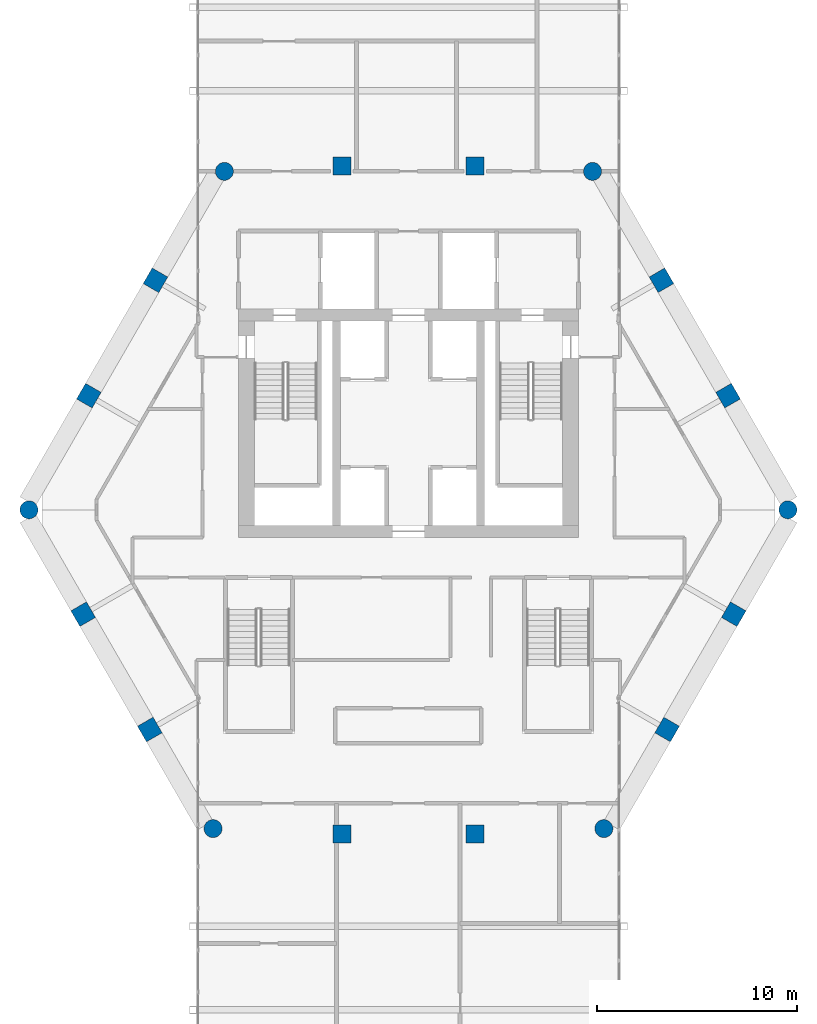
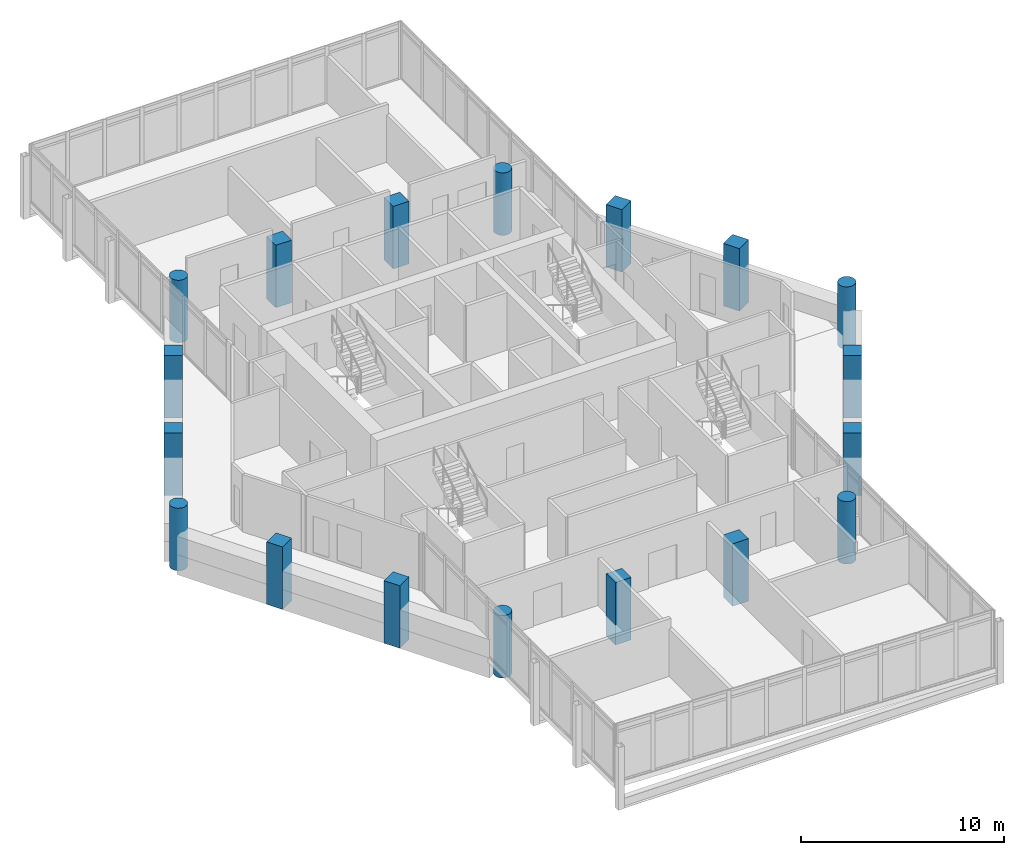
# One storey, part 1 of 25: 18 columns.
"""IFC4 building model written with IfcOpenShell, lengths in metres."""

import ifcopenshell
import ifcopenshell.guid

model = None  # the IFC model being written
_history = None  # IfcOwnerHistory: only IFC2X3 demands one
_inside = {}  # id of a spatial element -> (the spatial element, [elements in it])
_under = {}  # id of a project, library or spatial element -> (it, [spatial elements below it])
_declared = {}  # id of a project -> (the project, [libraries it declares])
_typed = {}  # id of a type object -> (the type object, [elements of that type])
_made_of = {}  # id of a material, layer set ... -> (it, [elements and type objects made of it])


def new_model(schema):
    """Start an empty IFC model of exactly this schema.

    Asked for "IFC4X3", IfcOpenShell would pick the latest addendum, in which some entities
    have other attributes; the version numbers below select the first issue.
    IFC2X3 requires an IfcOwnerHistory on every rooted entity: one is made here for all.
    """
    global model, _history
    if schema == "IFC4X3":
        model = ifcopenshell.file(schema_version=(4, 3, 0, 0))
    else:
        model = ifcopenshell.file(schema=schema)
    _inside.clear()
    _under.clear()
    _declared.clear()
    _typed.clear()
    _made_of.clear()
    _history = None
    if model.schema == "IFC2X3":
        org = make("IfcOrganization", Name="unknown")
        user = make(
            "IfcPersonAndOrganization",
            ThePerson=make("IfcPerson", FamilyName="unknown"),
            TheOrganization=org,
        )
        app = make(
            "IfcApplication",
            ApplicationDeveloper=org,
            Version="unknown",
            ApplicationFullName="unknown",
            ApplicationIdentifier="unknown",
        )
        _history = make(
            "IfcOwnerHistory",
            OwningUser=user,
            OwningApplication=app,
            ChangeAction="ADDED",
            CreationDate=0,
        )
    return model


def make(cls, **values):
    """One entity of the class cls with the attributes given. An attribute that is None is left unset."""
    return model.create_entity(
        cls, **{name: value for name, value in values.items() if value is not None}
    )


def rooted(cls, **values):
    """An entity with a GlobalId (a new one), such as an element, a storey or a relation."""
    return make(cls, GlobalId=ifcopenshell.guid.new(), OwnerHistory=_history, **values)


def si_unit(unit_type, name, prefix=None):
    """IfcSIUnit, for example si_unit("LENGTHUNIT", "METRE", prefix="MILLI")."""
    return make("IfcSIUnit", UnitType=unit_type, Prefix=prefix, Name=name)


def assignment(units):
    """IfcUnitAssignment: the units of a project."""
    return None if units is None else make("IfcUnitAssignment", Units=units)


def point(xyz):
    """IfcCartesianPoint."""
    return None if xyz is None else make("IfcCartesianPoint", Coordinates=xyz)


def direction(xyz):
    """IfcDirection."""
    return None if xyz is None else make("IfcDirection", DirectionRatios=xyz)


def frame(location, z_axis=None, x_axis=None):
    """IfcAxis2Placement3D, a coordinate frame: its origin and axes. An axis left out is left unset."""
    return make(
        "IfcAxis2Placement3D",
        Location=point(location),
        Axis=direction(z_axis),
        RefDirection=direction(x_axis),
    )


def frame_2d(location, x_axis=None):
    """IfcAxis2Placement2D, a coordinate frame in the plane: its origin and x axis."""
    return make(
        "IfcAxis2Placement2D", Location=point(location), RefDirection=direction(x_axis)
    )


def origin():
    """The frame at (0, 0, 0) with its axes left unset."""
    return frame((0.0, 0.0, 0.0))


def origin_2d():
    """The frame at (0, 0) in the plane with its x axis left unset."""
    return frame_2d((0.0, 0.0))


def place(relative_to, where):
    """IfcLocalPlacement: puts the frame where relative to a parent placement (None: the world)."""
    return make(
        "IfcLocalPlacement", PlacementRelTo=relative_to, RelativePlacement=where
    )


def context(
    kind, dimensions, precision=None, world=None, true_north=None, identifier=None
):
    """IfcGeometricRepresentationContext, for example the 3D "Model" context."""
    return make(
        "IfcGeometricRepresentationContext",
        ContextIdentifier=identifier,
        ContextType=kind,
        CoordinateSpaceDimension=dimensions,
        Precision=precision,
        WorldCoordinateSystem=world,
        TrueNorth=true_north,
    )


def subcontext(parent, identifier, kind, view, scale=None):
    """IfcGeometricRepresentationSubContext, for example "Body" below "Model"."""
    return make(
        "IfcGeometricRepresentationSubContext",
        ContextIdentifier=identifier,
        ContextType=kind,
        ParentContext=parent,
        TargetScale=scale,
        TargetView=view,
    )


def project(units=None, contexts=None):
    """IfcProject with its units and contexts."""
    return rooted(
        "IfcProject",
        Name="project",
        RepresentationContexts=contexts,
        UnitsInContext=assignment(units),
    )


def spatial(cls, under=None, at=None, **own):
    """A site, building, storey or space (cls), placed at a placement, below another one or the project."""
    s = rooted(cls, ObjectPlacement=at, **own)
    if under is not None:
        _under.setdefault(under.id(), (under, []))[1].append(s)
    return s


def profile(cls, at=None, kind="AREA", **sizes):
    """A parametric profile (cls). Its sizes go by their IFC names, for example OverallWidth=200.0."""
    return make(cls, ProfileType=kind, Position=at, **sizes)


def rectangle(**sizes):
    """IfcRectangleProfileDef."""
    return profile("IfcRectangleProfileDef", **sizes)


def circle(**sizes):
    """IfcCircleProfileDef."""
    return profile("IfcCircleProfileDef", **sizes)


def extrude(swept, where, along, depth):
    """IfcExtrudedAreaSolid: the profile swept, set in the frame where, extruded along a direction by depth."""
    return make(
        "IfcExtrudedAreaSolid",
        SweptArea=swept,
        Position=where,
        ExtrudedDirection=direction(along),
        Depth=depth,
    )


def shape(context_of_items, identifier, shape_type, items):
    """IfcShapeRepresentation: the items that make up one representation, for example the "Body"."""
    return make(
        "IfcShapeRepresentation",
        ContextOfItems=context_of_items,
        RepresentationIdentifier=identifier,
        RepresentationType=shape_type,
        Items=items,
    )


def material(Name=None, Category=None):
    """IfcMaterial."""
    return make("IfcMaterial", Name=Name, Category=Category)


def material_profile(
    of_material, cross_section, Name=None, Category=None, Priority=None
):
    """IfcMaterialProfile: a cross section and its material."""
    return make(
        "IfcMaterialProfile",
        Name=Name,
        Material=of_material,
        Profile=cross_section,
        Priority=Priority,
        Category=Category,
    )


def profile_set(profiles, Name=None, composite=None):
    """IfcMaterialProfileSet."""
    return make(
        "IfcMaterialProfileSet",
        Name=Name,
        MaterialProfiles=profiles,
        CompositeProfile=composite,
    )


def made_of(thing, what):
    """Note that an element or type object is made of a material, layer set ...; save() writes the relation."""
    if what is not None:
        _made_of.setdefault(what.id(), (what, []))[1].append(thing)
    return thing


def type_object(cls, material=None, **own):
    """A type object (cls), such as IfcWallType, which elements share."""
    return made_of(rooted(cls, **own), material)


def element(
    cls,
    number,
    at=None,
    inside=None,
    cuts=None,
    type_object=None,
    material=None,
    context=None,
    identifier="Body",
    shape_type=None,
    held_by="IfcProductDefinitionShape",
    body=None,
    shapes=None,
    **own,
):
    """One element of the class cls, such as IfcWall. Its Tag is "e" and its number.

    at: its placement. inside: the storey or other place that contains it. cuts: it is an
    opening in that element (IfcRelVoidsElement). A single representation is given by context,
    identifier, shape_type and body (its items); several are given by shapes. held_by: the class
    of the entity that holds the representations. save() writes the other relations.
    """
    e = rooted(cls, Tag="e%d" % number, ObjectPlacement=at, **own)
    if body is not None:
        shapes = [shape(context, identifier, shape_type, body)]
    if shapes is not None:
        e.Representation = make(held_by, Representations=shapes)
    if inside is not None:
        _inside.setdefault(inside.id(), (inside, []))[1].append(e)
    if cuts is not None:
        rooted(
            "IfcRelVoidsElement", RelatingBuildingElement=cuts, RelatedOpeningElement=e
        )
    if type_object is not None:
        _typed.setdefault(type_object.id(), (type_object, []))[1].append(e)
    return made_of(e, material)


def aggregate(whole, parts):
    """IfcRelAggregates: a whole, such as a stair, and the parts it consists of."""
    return rooted("IfcRelAggregates", RelatingObject=whole, RelatedObjects=parts)


def save(model, path):
    """Write the relations noted so far, then the file.

    IfcRelAggregates (storeys below a building ...), IfcRelContainedInSpatialStructure (elements
    in a storey), IfcRelDefinesByType, IfcRelAssociatesMaterial and IfcRelDeclares: one each for
    every whole, place, type object, material and project.
    """
    for whole, parts in _under.values():
        aggregate(whole, parts)
    for where, things in _inside.values():
        rooted(
            "IfcRelContainedInSpatialStructure",
            RelatedElements=things,
            RelatingStructure=where,
        )
    for kind, things in _typed.values():
        rooted("IfcRelDefinesByType", RelatedObjects=things, RelatingType=kind)
    for what, things in _made_of.values():
        rooted("IfcRelAssociatesMaterial", RelatedObjects=things, RelatingMaterial=what)
    for by, libraries in _declared.values():
        rooted("IfcRelDeclares", RelatingContext=by, RelatedDefinitions=libraries)
    model.write(path)


model = new_model("IFC4")

# Units and contexts
model_context = context("Model", 3, precision=1e-05, world=origin(), true_north=direction((0.0, 1.0)))
body_context = subcontext(model_context, "Body", "Model", "MODEL_VIEW")
ifc_project = project(units=[si_unit("LENGTHUNIT", "METRE"), si_unit("AREAUNIT", "SQUARE_METRE"), si_unit("VOLUMEUNIT", "CUBIC_METRE"), si_unit("PLANEANGLEUNIT", "RADIAN"), si_unit("MASSUNIT", "GRAM", prefix="KILO")], contexts=[model_context])

# Site, building, storey
site_placement = place(None, origin())
site = spatial("IfcSite", under=ifc_project, at=site_placement, CompositionType="ELEMENT")
building_placement = place(site_placement, origin())
building = spatial("IfcBuilding", under=site, at=building_placement, Name="Ostrander Bayou Hotel Tower", CompositionType="ELEMENT")
storey_placement = place(building_placement, frame((0.0, 0.0, 229.5)))
storey = spatial("IfcBuildingStorey", under=building, at=storey_placement, Name="L57", CompositionType="ELEMENT", Elevation=229.5)

# Columns
ifc_material_1 = material(Name="Concrete f'c 60 MPa", Category="concrete")
ifc_material_profile_1 = material_profile(ifc_material_1, circle(Radius=0.449951171875, at=origin_2d()))
ifc_profile_set_1 = profile_set([ifc_material_profile_1], Name="Concrete f'c 60 MPa")
column_type_1 = type_object("IfcColumnType", Name="C7 round column 900 mm f'c 60 MPa", PredefinedType="COLUMN", material=ifc_profile_set_1)
for number, where, z_axis, x_axis, name in (
    (1, (-9.19970703125, 16.588623046875, -1.199951171875), (0.0, 0.0, 1.0), (1.0, 0.0, 0.0), "C7 L57 K0"),
    (2, (-18.966064453125, -0.327392578125, -1.199951171875), (0.0, 0.0, 1.0), (1.0, 0.0, 0.0), "C7 L57 K1"),
    (3, (-9.7666015625, -16.261474609375, -1.199951171875), (0.0, 0.0, 1.0), (1.0, 0.0, 0.0), "C7 L57 K2"),
    (4, (9.7666015625, -16.261474609375, -1.199951171875), (0.0, 0.0, 1.0), (1.0, 0.0, 0.0), "C7 L57 K3"),
    (5, (18.966064453125, -0.327392578125, -1.199951171875), (0.0, 0.0, 1.0), (1.0, 0.0, 0.0), "C7 L57 K4"),
    (6, (9.19970703125, 16.588623046875, -1.199951171875), (0.0, 0.0, 1.0), (1.0, 0.0, 0.0), "C7 L57 K5"),
):
    element("IfcColumn", number, at=place(storey_placement, frame(where, z_axis=z_axis, x_axis=x_axis)), inside=storey, type_object=column_type_1, Name=name, PredefinedType="COLUMN", context=body_context, shape_type="SweptSolid", body=[
        extrude(circle(Radius=0.449951171875, at=origin_2d()), origin(), (0.0, 0.0, 1.0), 3.75),
    ])
ifc_material_2 = material(Name="Concrete f'c 60 MPa", Category="concrete")
ifc_material_profile_2 = material_profile(ifc_material_2, rectangle(XDim=0.89990234375, YDim=0.89990234375, at=origin_2d()))
ifc_profile_set_2 = profile_set([ifc_material_profile_2], Name="Concrete f'c 60 MPa")
column_type_2 = type_object("IfcColumnType", Name="C8 square column 900 x 900 mm f'c 60 MPa", PredefinedType="COLUMN", material=ifc_profile_set_2)
for number, where, z_axis, x_axis, name in (
    (7, (3.329345703125, 16.85009765625, -1.199951171875), (0.0, 0.0, 1.0), (1.0, 0.0, 0.0), "C8 L57 N1"),
    (8, (-3.329345703125, 16.85009765625, -1.199951171875), (0.0, 0.0, 1.0), (1.0, 0.0, 0.0), "C8 L57 N2"),
    (9, (-12.644287109375, 11.144775390625, -1.199951171875), (0.0, 0.0, 1.0), (0.5, 0.866025403784, 0.0), "C8 L57 NW1"),
    (10, (-15.973876953125, 5.3779296875, -1.199951171875), (0.0, 0.0, 1.0), (0.5, 0.866025403784, 0.0), "C8 L57 NW2"),
    (11, (-16.257080078125, -5.541748046875, -1.199951171875), (0.0, 0.0, 1.0), (-0.5, 0.866025403784, 0.0), "C8 L57 SW1"),
    (12, (-12.927734375, -11.308349609375, -1.199951171875), (0.0, 0.0, 1.0), (-0.5, 0.866025403784, 0.0), "C8 L57 SW2"),
    (13, (-3.329345703125, -16.522705078125, -1.199951171875), (0.0, 0.0, 1.0), (-1.0, 0.0, 0.0), "C8 L57 S1"),
    (14, (3.329345703125, -16.522705078125, -1.199951171875), (0.0, 0.0, 1.0), (-1.0, 0.0, 0.0), "C8 L57 S2"),
    (15, (12.927734375, -11.308349609375, -1.199951171875), (0.0, 0.0, 1.0), (-0.5, -0.866025403784, 0.0), "C8 L57 SE1"),
    (16, (16.257080078125, -5.541748046875, -1.199951171875), (0.0, 0.0, 1.0), (-0.5, -0.866025403784, 0.0), "C8 L57 SE2"),
    (17, (15.973876953125, 5.3779296875, -1.199951171875), (0.0, 0.0, 1.0), (0.5, -0.866025403784, 0.0), "C8 L57 NE1"),
    (18, (12.644287109375, 11.144775390625, -1.199951171875), (0.0, 0.0, 1.0), (0.5, -0.866025403784, 0.0), "C8 L57 NE2"),
):
    element("IfcColumn", number, at=place(storey_placement, frame(where, z_axis=z_axis, x_axis=x_axis)), inside=storey, type_object=column_type_2, Name=name, PredefinedType="COLUMN", context=body_context, shape_type="SweptSolid", body=[
        extrude(rectangle(XDim=0.89990234375, YDim=0.89990234375, at=origin_2d()), origin(), (0.0, 0.0, 1.0), 3.75),
    ])

save(model, "model.ifc")
